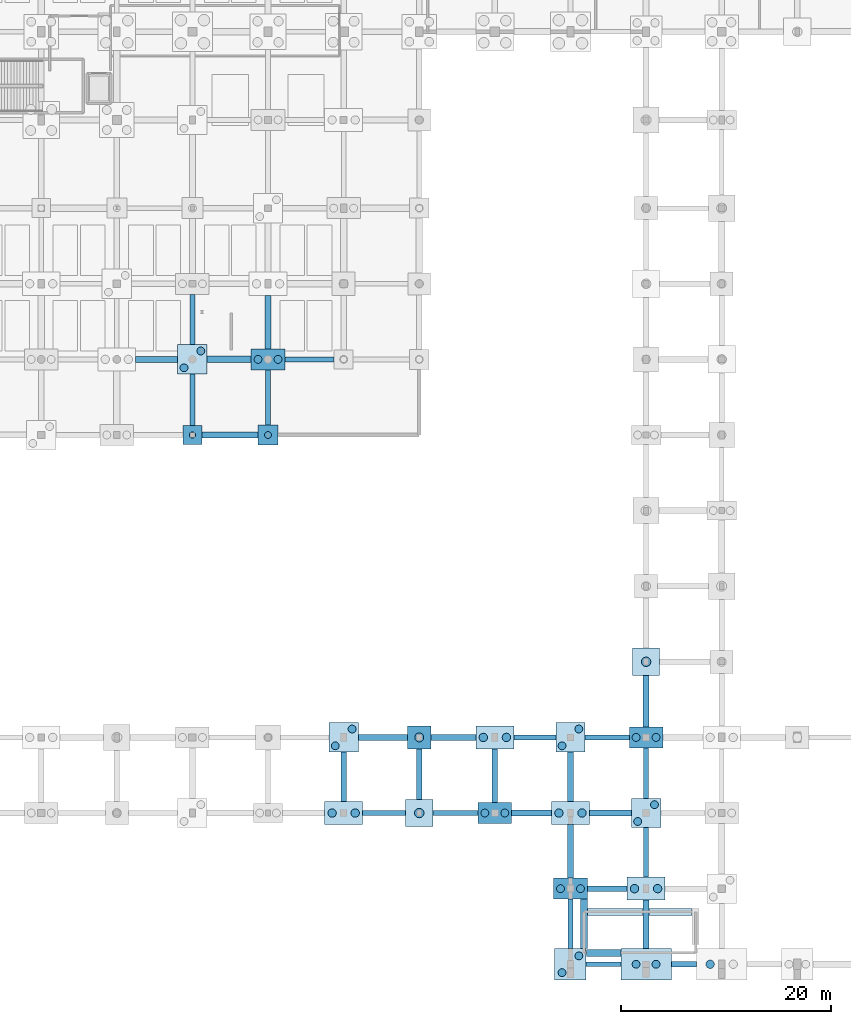
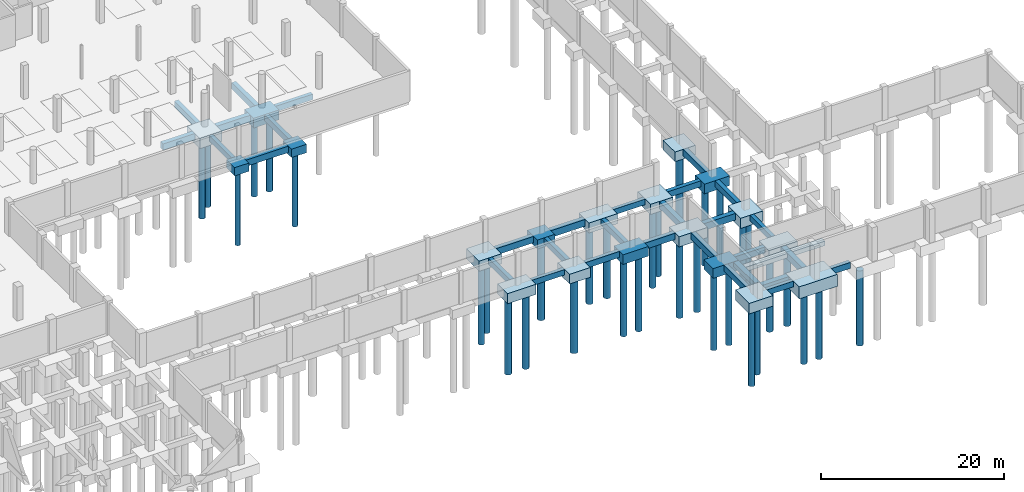
# One storey, part 4 of 35: 51 footings, 34 piles.
"""IFC4 building model written with IfcOpenShell, lengths in metres."""

from ifc_helpers import new_model, si_unit, direction, frame, origin, origin_2d, place, context, subcontext, project, spatial, rectangle, circle, extrude, material, material_profile, profile_set, type_object, element, save


model = new_model("IFC4")

# Units and contexts
model_context = context("Model", 3, precision=1e-05, world=origin(), true_north=direction((0.0, 1.0)))
body_context = subcontext(model_context, "Body", "Model", "MODEL_VIEW")
ifc_project = project(units=[si_unit("LENGTHUNIT", "METRE"), si_unit("AREAUNIT", "SQUARE_METRE"), si_unit("VOLUMEUNIT", "CUBIC_METRE"), si_unit("PLANEANGLEUNIT", "RADIAN"), si_unit("MASSUNIT", "GRAM", prefix="KILO")], contexts=[model_context])

# Site, building, storey
site_placement = place(None, origin())
site = spatial("IfcSite", under=ifc_project, at=site_placement, CompositionType="ELEMENT")
building_placement = place(site_placement, origin())
building = spatial("IfcBuilding", under=site, at=building_placement, Name="Kalluvel Institute of Natural Sciences", CompositionType="ELEMENT")
storey_placement = place(building_placement, frame((0.0, 0.0, -4.5)))
storey = spatial("IfcBuildingStorey", under=building, at=storey_placement, Name="B1", CompositionType="ELEMENT", Elevation=-4.5)

# Footings
ifc_material = material(Name="Concrete M40", Category="concrete")
footing_type_1 = type_object("IfcFootingType", Name="FB-450x750", PredefinedType="FOOTING_BEAM", material=ifc_material)
footing_1_placement = place(storey_placement, frame((103.550048828125, 14.0, -0.75), z_axis=(0.0, 0.0, 1.0), x_axis=(1.0, 0.0, 0.0)))
element("IfcFooting", 1, at=footing_1_placement, inside=storey, type_object=footing_type_1, Name="Foundation tie beam GB-X-004", PredefinedType="FOOTING_BEAM", context=body_context, shape_type="SweptSolid", body=[
    extrude(rectangle(XDim=3.300048828125, YDim=0.449951171875, at=origin_2d()), origin(), (0.0, 0.0, 1.0), 0.75),
])
footing_2_placement = place(storey_placement, frame((82.64990234375, 28.39990234375, -0.75), z_axis=(0.0, 0.0, 1.0), x_axis=(1.0, 0.0, 0.0)))
element("IfcFooting", 2, at=footing_2_placement, inside=storey, type_object=footing_type_1, Name="Foundation tie beam GB-X-024", PredefinedType="FOOTING_BEAM", context=body_context, shape_type="SweptSolid", body=[
    extrude(rectangle(XDim=4.10009765625, YDim=0.449951171875, at=origin_2d()), origin(), (0.0, 0.0, 1.0), 0.75),
])
footing_3_placement = place(storey_placement, frame((97.0, 35.60009765625, -0.75), z_axis=(0.0, 0.0, 1.0), x_axis=(1.0, 0.0, 0.0)))
element("IfcFooting", 3, at=footing_3_placement, inside=storey, type_object=footing_type_1, Name="Foundation tie beam GB-X-040", PredefinedType="FOOTING_BEAM", context=body_context, shape_type="SweptSolid", body=[
    extrude(rectangle(XDim=4.0, YDim=0.449951171875, at=origin_2d()), origin(), (0.0, 0.0, 1.0), 0.75),
])
footing_4_placement = place(storey_placement, frame((75.550048828125, 71.60009765625, -1.199951171875), z_axis=(0.0, 0.0, 1.0), x_axis=(1.0, 0.0, 0.0)))
element("IfcFooting", 4, at=footing_4_placement, inside=storey, type_object=footing_type_1, Name="Foundation tie beam GB-X-076", PredefinedType="FOOTING_BEAM", context=body_context, shape_type="SweptSolid", body=[
    extrude(rectangle(XDim=4.699951171875, YDim=0.449951171875, at=origin_2d()), origin(), (0.0, 0.0, 1.0), 0.75),
])
footing_5_placement = place(storey_placement, frame((64.39990234375, 67.75, -1.199951171875), z_axis=(0.0, 0.0, 1.0), x_axis=(1.0, 0.0, 0.0)))
element("IfcFooting", 5, at=footing_5_placement, inside=storey, type_object=footing_type_1, Name="Foundation tie beam GB-Y-284", PredefinedType="FOOTING_BEAM", context=body_context, shape_type="SweptSolid", body=[
    extrude(rectangle(XDim=0.449951171875, YDim=4.89990234375, at=origin_2d()), origin(), (0.0, 0.0, 1.0), 0.75),
])
footing_6_placement = place(storey_placement, frame((107.60009765625, 24.64990234375, -0.75), z_axis=(0.0, 0.0, 1.0), x_axis=(1.0, 0.0, 0.0)))
element("IfcFooting", 6, at=footing_6_placement, inside=storey, type_object=footing_type_1, Name="Foundation tie beam GB-Y-328", PredefinedType="FOOTING_BEAM", context=body_context, shape_type="SweptSolid", body=[
    extrude(rectangle(XDim=0.449951171875, YDim=4.699951171875, at=origin_2d()), origin(), (0.0, 0.0, 1.0), 0.75),
])
footing_type_2 = type_object("IfcFootingType", Name="FB-500x800", PredefinedType="FOOTING_BEAM", material=ifc_material)
footing_7_placement = place(storey_placement, frame((111.199951171875, 14.0, -0.7998046875), z_axis=(0.0, 0.0, 1.0), x_axis=(1.0, 0.0, 0.0)))
element("IfcFooting", 7, at=footing_7_placement, inside=storey, type_object=footing_type_2, Name="Foundation tie beam GB-X-005", PredefinedType="FOOTING_BEAM", context=body_context, shape_type="SweptSolid", body=[
    extrude(rectangle(XDim=2.39990234375, YDim=0.5, at=origin_2d()), origin(), (0.0, 0.0, 1.0), 0.800048828125),
])
footing_8_placement = place(storey_placement, frame((103.89990234375, 21.199951171875, -0.7998046875), z_axis=(0.0, 0.0, 1.0), x_axis=(1.0, 0.0, 0.0)))
element("IfcFooting", 8, at=footing_8_placement, inside=storey, type_object=footing_type_2, Name="Foundation tie beam GB-X-013", PredefinedType="FOOTING_BEAM", context=body_context, shape_type="SweptSolid", body=[
    extrude(rectangle(XDim=3.800048828125, YDim=0.5, at=origin_2d()), origin(), (0.0, 0.0, 1.0), 0.800048828125),
])
footing_9_placement = place(storey_placement, frame((89.449951171875, 28.39990234375, -0.7998046875), z_axis=(0.0, 0.0, 1.0), x_axis=(1.0, 0.0, 0.0)))
element("IfcFooting", 9, at=footing_9_placement, inside=storey, type_object=footing_type_2, Name="Foundation tie beam GB-X-025", PredefinedType="FOOTING_BEAM", context=body_context, shape_type="SweptSolid", body=[
    extrude(rectangle(XDim=4.300048828125, YDim=0.5, at=origin_2d()), origin(), (0.0, 0.0, 1.0), 0.800048828125),
])
footing_10_placement = place(storey_placement, frame((103.89990234375, 35.60009765625, -0.7998046875), z_axis=(0.0, 0.0, 1.0), x_axis=(1.0, 0.0, 0.0)))
element("IfcFooting", 10, at=footing_10_placement, inside=storey, type_object=footing_type_2, Name="Foundation tie beam GB-X-041", PredefinedType="FOOTING_BEAM", context=body_context, shape_type="SweptSolid", body=[
    extrude(rectangle(XDim=4.199951171875, YDim=0.5, at=origin_2d()), origin(), (0.0, 0.0, 1.0), 0.800048828125),
])
footing_11_placement = place(storey_placement, frame((64.39990234375, 75.39990234375, -1.25), z_axis=(0.0, 0.0, 1.0), x_axis=(1.0, 0.0, 0.0)))
element("IfcFooting", 11, at=footing_11_placement, inside=storey, type_object=footing_type_2, Name="Foundation tie beam GB-Y-285", PredefinedType="FOOTING_BEAM", context=body_context, shape_type="SweptSolid", body=[
    extrude(rectangle(XDim=0.5, YDim=4.800048828125, at=origin_2d()), origin(), (0.0, 0.0, 1.0), 0.800048828125),
])
footing_12_placement = place(storey_placement, frame((71.60009765625, 67.97509765625, -1.25), z_axis=(0.0, 0.0, 1.0), x_axis=(1.0, 0.0, 0.0)))
element("IfcFooting", 12, at=footing_12_placement, inside=storey, type_object=footing_type_2, Name="Foundation tie beam GB-Y-293", PredefinedType="FOOTING_BEAM", context=body_context, shape_type="SweptSolid", body=[
    extrude(rectangle(XDim=0.5, YDim=5.25, at=origin_2d()), origin(), (0.0, 0.0, 1.0), 0.800048828125),
])
footing_13_placement = place(storey_placement, frame((78.800048828125, 31.85009765625, -0.7998046875), z_axis=(0.0, 0.0, 1.0), x_axis=(1.0, 0.0, 0.0)))
element("IfcFooting", 13, at=footing_13_placement, inside=storey, type_object=footing_type_2, Name="Foundation tie beam GB-Y-301", PredefinedType="FOOTING_BEAM", context=body_context, shape_type="SweptSolid", body=[
    extrude(rectangle(XDim=0.5, YDim=4.699951171875, at=origin_2d()), origin(), (0.0, 0.0, 1.0), 0.800048828125),
])
footing_14_placement = place(storey_placement, frame((86.0, 32.10009765625, -0.7998046875), z_axis=(0.0, 0.0, 1.0), x_axis=(1.0, 0.0, 0.0)))
element("IfcFooting", 14, at=footing_14_placement, inside=storey, type_object=footing_type_2, Name="Foundation tie beam GB-Y-309", PredefinedType="FOOTING_BEAM", context=body_context, shape_type="SweptSolid", body=[
    extrude(rectangle(XDim=0.5, YDim=4.800048828125, at=origin_2d()), origin(), (0.0, 0.0, 1.0), 0.800048828125),
])
footing_15_placement = place(storey_placement, frame((93.199951171875, 31.949951171875, -0.7998046875), z_axis=(0.0, 0.0, 1.0), x_axis=(1.0, 0.0, 0.0)))
element("IfcFooting", 15, at=footing_15_placement, inside=storey, type_object=footing_type_2, Name="Foundation tie beam GB-Y-317", PredefinedType="FOOTING_BEAM", context=body_context, shape_type="SweptSolid", body=[
    extrude(rectangle(XDim=0.5, YDim=5.10009765625, at=origin_2d()), origin(), (0.0, 0.0, 1.0), 0.800048828125),
])
footing_16_placement = place(storey_placement, frame((100.39990234375, 17.85009765625, -0.7998046875), z_axis=(0.0, 0.0, 1.0), x_axis=(1.0, 0.0, 0.0)))
element("IfcFooting", 16, at=footing_16_placement, inside=storey, type_object=footing_type_2, Name="Foundation tie beam GB-Y-321", PredefinedType="FOOTING_BEAM", context=body_context, shape_type="SweptSolid", body=[
    extrude(rectangle(XDim=0.5, YDim=4.699951171875, at=origin_2d()), origin(), (0.0, 0.0, 1.0), 0.800048828125),
])
footing_17_placement = place(storey_placement, frame((107.60009765625, 32.199951171875, -0.7998046875), z_axis=(0.0, 0.0, 1.0), x_axis=(1.0, 0.0, 0.0)))
element("IfcFooting", 17, at=footing_17_placement, inside=storey, type_object=footing_type_2, Name="Foundation tie beam GB-Y-329", PredefinedType="FOOTING_BEAM", context=body_context, shape_type="SweptSolid", body=[
    extrude(rectangle(XDim=0.5, YDim=4.800048828125, at=origin_2d()), origin(), (0.0, 0.0, 1.0), 0.800048828125),
])
footing_type_3 = type_object("IfcFootingType", Name="FB-550x850", PredefinedType="FOOTING_BEAM", material=ifc_material)
footing_18_placement = place(storey_placement, frame((96.699951171875, 28.39990234375, -0.85009765625), z_axis=(0.0, 0.0, 1.0), x_axis=(1.0, 0.0, 0.0)))
element("IfcFooting", 18, at=footing_18_placement, inside=storey, type_object=footing_type_3, Name="Foundation tie beam GB-X-026", PredefinedType="FOOTING_BEAM", context=body_context, shape_type="SweptSolid", body=[
    extrude(rectangle(XDim=3.800048828125, YDim=0.550048828125, at=origin_2d()), origin(), (0.0, 0.0, 1.0), 0.85009765625),
])
footing_19_placement = place(storey_placement, frame((82.550048828125, 35.60009765625, -0.85009765625), z_axis=(0.0, 0.0, 1.0), x_axis=(1.0, 0.0, 0.0)))
element("IfcFooting", 19, at=footing_19_placement, inside=storey, type_object=footing_type_3, Name="Foundation tie beam GB-X-038", PredefinedType="FOOTING_BEAM", context=body_context, shape_type="SweptSolid", body=[
    extrude(rectangle(XDim=4.699951171875, YDim=0.550048828125, at=origin_2d()), origin(), (0.0, 0.0, 1.0), 0.85009765625),
])
footing_20_placement = place(storey_placement, frame((67.97509765625, 64.39990234375, -1.300048828125), z_axis=(0.0, 0.0, 1.0), x_axis=(1.0, 0.0, 0.0)))
element("IfcFooting", 20, at=footing_20_placement, inside=storey, type_object=footing_type_3, Name="Foundation tie beam GB-X-066", PredefinedType="FOOTING_BEAM", context=body_context, shape_type="SweptSolid", body=[
    extrude(rectangle(XDim=5.35009765625, YDim=0.550048828125, at=origin_2d()), origin(), (0.0, 0.0, 1.0), 0.85009765625),
])
footing_21_placement = place(storey_placement, frame((61.0, 71.60009765625, -1.300048828125), z_axis=(0.0, 0.0, 1.0), x_axis=(1.0, 0.0, 0.0)))
element("IfcFooting", 21, at=footing_21_placement, inside=storey, type_object=footing_type_3, Name="Foundation tie beam GB-X-074", PredefinedType="FOOTING_BEAM", context=body_context, shape_type="SweptSolid", body=[
    extrude(rectangle(XDim=4.0, YDim=0.550048828125, at=origin_2d()), origin(), (0.0, 0.0, 1.0), 0.85009765625),
])
for number, where, z_axis, x_axis, name in (
    (22, (71.60009765625, 75.14990234375, -1.300048828125), (0.0, 0.0, 1.0), (1.0, 0.0, 0.0), "Foundation tie beam GB-Y-294"),
    (23, (100.39990234375, 24.75, -0.85009765625), (0.0, 0.0, 1.0), (1.0, 0.0, 0.0), "Foundation tie beam GB-Y-322"),
):
    element("IfcFooting", number, at=place(storey_placement, frame(where, z_axis=z_axis, x_axis=x_axis)), inside=storey, type_object=footing_type_3, Name=name, PredefinedType="FOOTING_BEAM", context=body_context, shape_type="SweptSolid", body=[
        extrude(rectangle(XDim=0.550048828125, YDim=5.10009765625, at=origin_2d()), origin(), (0.0, 0.0, 1.0), 0.85009765625),
    ])
footing_22_placement = place(storey_placement, frame((107.60009765625, 39.050048828125, -0.85009765625), z_axis=(0.0, 0.0, 1.0), x_axis=(1.0, 0.0, 0.0)))
element("IfcFooting", 24, at=footing_22_placement, inside=storey, type_object=footing_type_3, Name="Foundation tie beam GB-Y-330", PredefinedType="FOOTING_BEAM", context=body_context, shape_type="SweptSolid", body=[
    extrude(rectangle(XDim=0.550048828125, YDim=4.89990234375, at=origin_2d()), origin(), (0.0, 0.0, 1.0), 0.85009765625),
])
footing_type_4 = type_object("IfcFootingType", Name="FB-600x900", PredefinedType="FOOTING_BEAM", material=ifc_material)
footing_23_placement = place(storey_placement, frame((104.199951171875, 28.39990234375, -0.89990234375), z_axis=(0.0, 0.0, 1.0), x_axis=(1.0, 0.0, 0.0)))
element("IfcFooting", 25, at=footing_23_placement, inside=storey, type_object=footing_type_4, Name="Foundation tie beam GB-X-027", PredefinedType="FOOTING_BEAM", context=body_context, shape_type="SweptSolid", body=[
    extrude(rectangle(XDim=4.0, YDim=0.60009765625, at=origin_2d()), origin(), (0.0, 0.0, 1.0), 0.89990234375),
])
footing_24_placement = place(storey_placement, frame((89.25, 35.60009765625, -0.89990234375), z_axis=(0.0, 0.0, 1.0), x_axis=(1.0, 0.0, 0.0)))
element("IfcFooting", 26, at=footing_24_placement, inside=storey, type_object=footing_type_4, Name="Foundation tie beam GB-X-039", PredefinedType="FOOTING_BEAM", context=body_context, shape_type="SweptSolid", body=[
    extrude(rectangle(XDim=4.300048828125, YDim=0.60009765625, at=origin_2d()), origin(), (0.0, 0.0, 1.0), 0.89990234375),
])
footing_25_placement = place(storey_placement, frame((67.89990234375, 71.60009765625, -1.349853515625), z_axis=(0.0, 0.0, 1.0), x_axis=(1.0, 0.0, 0.0)))
element("IfcFooting", 27, at=footing_25_placement, inside=storey, type_object=footing_type_4, Name="Foundation tie beam GB-X-075", PredefinedType="FOOTING_BEAM", context=body_context, shape_type="SweptSolid", body=[
    extrude(rectangle(XDim=4.199951171875, YDim=0.60009765625, at=origin_2d()), origin(), (0.0, 0.0, 1.0), 0.89990234375),
])
footing_26_placement = place(storey_placement, frame((100.39990234375, 31.85009765625, -0.89990234375), z_axis=(0.0, 0.0, 1.0), x_axis=(1.0, 0.0, 0.0)))
element("IfcFooting", 28, at=footing_26_placement, inside=storey, type_object=footing_type_4, Name="Foundation tie beam GB-Y-323", PredefinedType="FOOTING_BEAM", context=body_context, shape_type="SweptSolid", body=[
    extrude(rectangle(XDim=0.60009765625, YDim=4.699951171875, at=origin_2d()), origin(), (0.0, 0.0, 1.0), 0.89990234375),
])
footing_27_placement = place(storey_placement, frame((107.60009765625, 17.800048828125, -0.89990234375), z_axis=(0.0, 0.0, 1.0), x_axis=(1.0, 0.0, 0.0)))
element("IfcFooting", 29, at=footing_27_placement, inside=storey, type_object=footing_type_4, Name="Foundation tie beam GB-Y-327", PredefinedType="FOOTING_BEAM", context=body_context, shape_type="SweptSolid", body=[
    extrude(rectangle(XDim=0.60009765625, YDim=4.60009765625, at=origin_2d()), origin(), (0.0, 0.0, 1.0), 0.89990234375),
])
footing_type_5 = type_object("IfcFootingType", Name="FT-STRIP-650x600", PredefinedType="STRIP_FOOTING", material=ifc_material)
footing_28_placement = place(storey_placement, frame((103.550048828125, 15.080078125, -0.60009765625), z_axis=(0.0, 0.0, 1.0), x_axis=(1.0, 0.0, 0.0)))
element("IfcFooting", 30, at=footing_28_placement, inside=storey, type_object=footing_type_5, Name="ST7 south core strip footing SF-006", PredefinedType="STRIP_FOOTING", context=body_context, shape_type="SweptSolid", body=[
    extrude(rectangle(XDim=3.280029296875, YDim=0.64990234375, at=origin_2d()), origin(), (0.0, 0.0, 1.0), 0.60009765625),
])
footing_29_placement = place(storey_placement, frame((107.0, 18.97998046875, -0.60009765625), z_axis=(0.0, 0.0, 1.0), x_axis=(1.0, 0.0, 0.0)))
element("IfcFooting", 31, at=footing_29_placement, inside=storey, type_object=footing_type_5, Name="ST7 north core strip footing SF-007", PredefinedType="STRIP_FOOTING", context=body_context, shape_type="SweptSolid", body=[
    extrude(rectangle(XDim=9.969970703125, YDim=0.64990234375, at=origin_2d()), origin(), (0.0, 0.0, 1.0), 0.60009765625),
])
footing_30_placement = place(storey_placement, frame((101.679931640625, 17.85009765625, -0.60009765625), z_axis=(0.0, 0.0, 1.0), x_axis=(1.0, 0.0, 0.0)))
element("IfcFooting", 32, at=footing_30_placement, inside=storey, type_object=footing_type_5, Name="ST7 west core strip footing SF-008", PredefinedType="STRIP_FOOTING", context=body_context, shape_type="SweptSolid", body=[
    extrude(rectangle(XDim=0.64990234375, YDim=4.679931640625, at=origin_2d()), origin(), (0.0, 0.0, 1.0), 0.60009765625),
])
footing_type_6 = type_object("IfcFootingType", Name="PC-1800x1800x1100", PredefinedType="PILE_CAP", material=ifc_material)
footing_31_placement = place(storey_placement, frame((64.39990234375, 64.39990234375, -1.550048828125), z_axis=(0.0, 0.0, 1.0), x_axis=(1.0, 0.0, 0.0)))
element("IfcFooting", 33, at=footing_31_placement, inside=storey, type_object=footing_type_6, Name="Pile cap CAP-100", PredefinedType="PILE_CAP", context=body_context, shape_type="SweptSolid", body=[
    extrude(rectangle(XDim=1.800048828125, YDim=1.800048828125, at=origin_2d()), origin(), (0.0, 0.0, 1.0), 1.10009765625),
])
footing_type_7 = type_object("IfcFootingType", Name="PC-1900x1900x1120", PredefinedType="PILE_CAP", material=ifc_material)
footing_32_placement = place(storey_placement, frame((71.60009765625, 64.39990234375, -1.570068359375), z_axis=(0.0, 0.0, 1.0), x_axis=(1.0, 0.0, 0.0)))
element("IfcFooting", 34, at=footing_32_placement, inside=storey, type_object=footing_type_7, Name="Pile cap CAP-111", PredefinedType="PILE_CAP", context=body_context, shape_type="SweptSolid", body=[
    extrude(rectangle(XDim=1.89990234375, YDim=1.89990234375, at=origin_2d()), origin(), (0.0, 0.0, 1.0), 1.1201171875),
])
footing_type_8 = type_object("IfcFootingType", Name="PC-2200x2200x1200", PredefinedType="PILE_CAP", material=ifc_material)
footing_33_placement = place(storey_placement, frame((86.0, 35.60009765625, -1.2001953125), z_axis=(0.0, 0.0, 1.0), x_axis=(1.0, 0.0, 0.0)))
element("IfcFooting", 35, at=footing_33_placement, inside=storey, type_object=footing_type_8, Name="Pile cap CAP-131", PredefinedType="PILE_CAP", context=body_context, shape_type="SweptSolid", body=[
    extrude(rectangle(XDim=2.199951171875, YDim=2.199951171875, at=origin_2d()), origin(), (0.0, 0.0, 1.0), 1.199951171875),
])
footing_type_9 = type_object("IfcFootingType", Name="PC-2600x2600x1300", PredefinedType="PILE_CAP", material=ifc_material)
for number, where, z_axis, x_axis, name in (
    (36, (86.0, 28.39990234375, -1.2998046875), (0.0, 0.0, 1.0), (1.0, 0.0, 0.0), "Pile cap CAP-130"),
    (37, (107.60009765625, 42.800048828125, -1.2998046875), (0.0, 0.0, 1.0), (1.0, 0.0, 0.0), "Pile cap CAP-158"),
):
    element("IfcFooting", number, at=place(storey_placement, frame(where, z_axis=z_axis, x_axis=x_axis)), inside=storey, type_object=footing_type_9, Name=name, PredefinedType="PILE_CAP", context=body_context, shape_type="SweptSolid", body=[
        extrude(rectangle(XDim=2.60009765625, YDim=2.60009765625, at=origin_2d()), origin(), (0.0, 0.0, 1.0), 1.300048828125),
    ])
footing_type_10 = type_object("IfcFootingType", Name="PC-2800x2800x1350", PredefinedType="PILE_CAP", material=ifc_material)
for number, where, z_axis, x_axis, name in (
    (38, (64.39990234375, 71.60009765625, -1.800048828125), (0.0, 0.0, 1.0), (1.0, 0.0, 0.0), "Pile cap CAP-101"),
    (39, (78.800048828125, 35.60009765625, -1.35009765625), (0.0, 0.0, 1.0), (1.0, 0.0, 0.0), "Pile cap CAP-121"),
    (40, (100.39990234375, 35.60009765625, -1.35009765625), (0.0, 0.0, 1.0), (1.0, 0.0, 0.0), "Pile cap CAP-149"),
    (41, (107.60009765625, 28.39990234375, -1.35009765625), (0.0, 0.0, 1.0), (1.0, 0.0, 0.0), "Pile cap CAP-156"),
):
    element("IfcFooting", number, at=place(storey_placement, frame(where, z_axis=z_axis, x_axis=x_axis)), inside=storey, type_object=footing_type_10, Name=name, PredefinedType="PILE_CAP", context=body_context, shape_type="SweptSolid", body=[
        extrude(rectangle(XDim=2.800048828125, YDim=2.800048828125, at=origin_2d()), origin(), (0.0, 0.0, 1.0), 1.35009765625),
    ])
footing_type_11 = type_object("IfcFootingType", Name="PC-3000x3000x1400", PredefinedType="PILE_CAP", material=ifc_material)
footing_34_placement = place(storey_placement, frame((100.39990234375, 14.0, -1.39990234375), z_axis=(0.0, 0.0, 1.0), x_axis=(1.0, 0.0, 0.0)))
element("IfcFooting", 42, at=footing_34_placement, inside=storey, type_object=footing_type_11, Name="Pile cap CAP-146", PredefinedType="PILE_CAP", context=body_context, shape_type="SweptSolid", body=[
    extrude(rectangle(XDim=3.0, YDim=3.0, at=origin_2d()), origin(), (0.0, 0.0, 1.0), 1.39990234375),
])
footing_type_12 = type_object("IfcFootingType", Name="PC-3200x2000x1300", PredefinedType="PILE_CAP", material=ifc_material)
for number, where, z_axis, x_axis, name in (
    (43, (71.60009765625, 71.60009765625, -1.75), (0.0, 0.0, 1.0), (1.0, 0.0, 0.0), "Pile cap CAP-112"),
    (44, (93.199951171875, 28.39990234375, -1.2998046875), (0.0, 0.0, 1.0), (1.0, 0.0, 0.0), "Pile cap CAP-140"),
    (45, (100.39990234375, 21.199951171875, -1.2998046875), (0.0, 0.0, 1.0), (1.0, 0.0, 0.0), "Pile cap CAP-147"),
    (46, (107.60009765625, 35.60009765625, -1.2998046875), (0.0, 0.0, 1.0), (1.0, 0.0, 0.0), "Pile cap CAP-157"),
):
    element("IfcFooting", number, at=place(storey_placement, frame(where, z_axis=z_axis, x_axis=x_axis)), inside=storey, type_object=footing_type_12, Name=name, PredefinedType="PILE_CAP", context=body_context, shape_type="SweptSolid", body=[
        extrude(rectangle(XDim=3.199951171875, YDim=2.0, at=origin_2d()), origin(), (0.0, 0.0, 1.0), 1.300048828125),
    ])
footing_type_13 = type_object("IfcFootingType", Name="PC-3600x2200x1350", PredefinedType="PILE_CAP", material=ifc_material)
for number, where, z_axis, x_axis, name in (
    (47, (78.800048828125, 28.39990234375, -1.35009765625), (0.0, 0.0, 1.0), (1.0, 0.0, 0.0), "Pile cap CAP-120"),
    (48, (93.199951171875, 35.60009765625, -1.35009765625), (0.0, 0.0, 1.0), (1.0, 0.0, 0.0), "Pile cap CAP-141"),
    (49, (100.39990234375, 28.39990234375, -1.35009765625), (0.0, 0.0, 1.0), (1.0, 0.0, 0.0), "Pile cap CAP-148"),
    (50, (107.60009765625, 21.199951171875, -1.35009765625), (0.0, 0.0, 1.0), (1.0, 0.0, 0.0), "Pile cap CAP-155"),
):
    element("IfcFooting", number, at=place(storey_placement, frame(where, z_axis=z_axis, x_axis=x_axis)), inside=storey, type_object=footing_type_13, Name=name, PredefinedType="PILE_CAP", context=body_context, shape_type="SweptSolid", body=[
        extrude(rectangle(XDim=3.60009765625, YDim=2.199951171875, at=origin_2d()), origin(), (0.0, 0.0, 1.0), 1.35009765625),
    ])
footing_type_14 = type_object("IfcFootingType", Name="PC-4800x3000x1600", PredefinedType="PILE_CAP", material=ifc_material)
footing_35_placement = place(storey_placement, frame((107.60009765625, 14.0, -1.60009765625), z_axis=(0.0, 0.0, 1.0), x_axis=(1.0, 0.0, 0.0)))
element("IfcFooting", 51, at=footing_35_placement, inside=storey, type_object=footing_type_14, Name="Pile cap CAP-154", PredefinedType="PILE_CAP", context=body_context, shape_type="SweptSolid", body=[
    extrude(rectangle(XDim=4.800048828125, YDim=3.0, at=origin_2d()), origin(), (0.0, 0.0, 1.0), 1.60009765625),
])

# Piles
ifc_material_profile_1 = material_profile(ifc_material, circle(Radius=0.300048828125, at=origin_2d()), Name="PILE D600")
ifc_profile_set_1 = profile_set([ifc_material_profile_1], Name="Concrete M40")
pile_type_1 = type_object("IfcPileType", Name="PILE-D600", PredefinedType="BORED", material=ifc_profile_set_1)
pile_1_placement = place(storey_placement, frame((64.39990234375, 64.39990234375, -1.429931640625), z_axis=(0.0, 0.0, -1.0), x_axis=(1.0, 0.0, 0.0)))
element("IfcPile", 52, at=pile_1_placement, inside=storey, type_object=pile_type_1, Name="Bored rock-socketed pile PILE-X6440-Y6440", PredefinedType="BORED", context=body_context, shape_type="SweptSolid", body=[
    extrude(circle(Radius=0.300048828125, at=origin_2d()), origin(), (0.0, 0.0, 1.0), 10.070068359375),
])
ifc_material_profile_2 = material_profile(ifc_material, circle(Radius=0.324951171875, at=origin_2d()), Name="PILE D650")
ifc_profile_set_2 = profile_set([ifc_material_profile_2], Name="Concrete M40")
pile_type_2 = type_object("IfcPileType", Name="PILE-D650", PredefinedType="BORED", material=ifc_profile_set_2)
pile_2_placement = place(storey_placement, frame((71.60009765625, 64.39990234375, -1.449951171875), z_axis=(0.0, 0.0, -1.0), x_axis=(1.0, 0.0, 0.0)))
element("IfcPile", 53, at=pile_2_placement, inside=storey, type_object=pile_type_2, Name="Bored rock-socketed pile PILE-X7160-Y6440", PredefinedType="BORED", context=body_context, shape_type="SweptSolid", body=[
    extrude(circle(Radius=0.324951171875, at=origin_2d()), origin(), (0.0, 0.0, 1.0), 10.050048828125),
])
ifc_material_profile_3 = material_profile(ifc_material, circle(Radius=0.375, at=origin_2d()), Name="PILE D750")
ifc_profile_set_3 = profile_set([ifc_material_profile_3], Name="Concrete M40")
pile_type_3 = type_object("IfcPileType", Name="PILE-D750", PredefinedType="BORED", material=ifc_profile_set_3)
for number, where, z_axis, x_axis, name in (
    (54, (63.60009765625, 70.800048828125, -1.679931640625), (0.0, 0.0, -1.0), (1.0, 0.0, 0.0), "Bored rock-socketed pile PILE-X6360-Y7080"),
    (55, (65.199951171875, 72.39990234375, -1.679931640625), (0.0, 0.0, -1.0), (1.0, 0.0, 0.0), "Bored rock-socketed pile PILE-X6520-Y7240"),
):
    element("IfcPile", number, at=place(storey_placement, frame(where, z_axis=z_axis, x_axis=x_axis)), inside=storey, type_object=pile_type_3, Name=name, PredefinedType="BORED", context=body_context, shape_type="SweptSolid", body=[
        extrude(circle(Radius=0.375, at=origin_2d()), origin(), (0.0, 0.0, 1.0), 9.820068359375),
    ])
for number, where, z_axis, x_axis, name in (
    (56, (70.64990234375, 71.60009765625, -1.6298828125), (0.0, 0.0, -1.0), (1.0, 0.0, 0.0), "Bored rock-socketed pile PILE-X7065-Y7160"),
    (57, (72.550048828125, 71.60009765625, -1.6298828125), (0.0, 0.0, -1.0), (1.0, 0.0, 0.0), "Bored rock-socketed pile PILE-X7255-Y7160"),
):
    element("IfcPile", number, at=place(storey_placement, frame(where, z_axis=z_axis, x_axis=x_axis)), inside=storey, type_object=pile_type_3, Name=name, PredefinedType="BORED", context=body_context, shape_type="SweptSolid", body=[
        extrude(circle(Radius=0.375, at=origin_2d()), origin(), (0.0, 0.0, 1.0), 9.8701171875),
    ])
for number, where, z_axis, x_axis, name in (
    (58, (78.0, 34.800048828125, -1.22998046875), (0.0, 0.0, -1.0), (1.0, 0.0, 0.0), "Bored rock-socketed pile PILE-X7800-Y3480"),
    (59, (79.60009765625, 36.39990234375, -1.22998046875), (0.0, 0.0, -1.0), (1.0, 0.0, 0.0), "Bored rock-socketed pile PILE-X7960-Y3640"),
):
    element("IfcPile", number, at=place(storey_placement, frame(where, z_axis=z_axis, x_axis=x_axis)), inside=storey, type_object=pile_type_3, Name=name, PredefinedType="BORED", context=body_context, shape_type="SweptSolid", body=[
        extrude(circle(Radius=0.375, at=origin_2d()), origin(), (0.0, 0.0, 1.0), 10.27001953125),
    ])
for number, where, z_axis, x_axis, name in (
    (60, (92.25, 28.39990234375, -1.179931640625), (0.0, 0.0, -1.0), (1.0, 0.0, 0.0), "Bored rock-socketed pile PILE-X9225-Y2840"),
    (61, (94.14990234375, 28.39990234375, -1.179931640625), (0.0, 0.0, -1.0), (1.0, 0.0, 0.0), "Bored rock-socketed pile PILE-X9415-Y2840"),
):
    element("IfcPile", number, at=place(storey_placement, frame(where, z_axis=z_axis, x_axis=x_axis)), inside=storey, type_object=pile_type_3, Name=name, PredefinedType="BORED", context=body_context, shape_type="SweptSolid", body=[
        extrude(circle(Radius=0.375, at=origin_2d()), origin(), (0.0, 0.0, 1.0), 10.320068359375),
    ])
for number, where, z_axis, x_axis, name in (
    (62, (99.60009765625, 13.199951171875, -1.280029296875), (0.0, 0.0, -1.0), (1.0, 0.0, 0.0), "Bored rock-socketed pile PILE-X9960-Y1320"),
    (63, (101.199951171875, 14.800048828125, -1.280029296875), (0.0, 0.0, -1.0), (1.0, 0.0, 0.0), "Bored rock-socketed pile PILE-X10120-Y1480"),
):
    element("IfcPile", number, at=place(storey_placement, frame(where, z_axis=z_axis, x_axis=x_axis)), inside=storey, type_object=pile_type_3, Name=name, PredefinedType="BORED", context=body_context, shape_type="SweptSolid", body=[
        extrude(circle(Radius=0.375, at=origin_2d()), origin(), (0.0, 0.0, 1.0), 10.219970703125),
    ])
for number, where, z_axis, x_axis, name in (
    (64, (99.449951171875, 21.199951171875, -1.179931640625), (0.0, 0.0, -1.0), (1.0, 0.0, 0.0), "Bored rock-socketed pile PILE-X9945-Y2120"),
    (65, (101.35009765625, 21.199951171875, -1.179931640625), (0.0, 0.0, -1.0), (1.0, 0.0, 0.0), "Bored rock-socketed pile PILE-X10135-Y2120"),
):
    element("IfcPile", number, at=place(storey_placement, frame(where, z_axis=z_axis, x_axis=x_axis)), inside=storey, type_object=pile_type_3, Name=name, PredefinedType="BORED", context=body_context, shape_type="SweptSolid", body=[
        extrude(circle(Radius=0.375, at=origin_2d()), origin(), (0.0, 0.0, 1.0), 10.320068359375),
    ])
for number, where, z_axis, x_axis, name in (
    (66, (99.60009765625, 34.800048828125, -1.22998046875), (0.0, 0.0, -1.0), (1.0, 0.0, 0.0), "Bored rock-socketed pile PILE-X9960-Y3480"),
    (67, (101.199951171875, 36.39990234375, -1.22998046875), (0.0, 0.0, -1.0), (1.0, 0.0, 0.0), "Bored rock-socketed pile PILE-X10120-Y3640"),
):
    element("IfcPile", number, at=place(storey_placement, frame(where, z_axis=z_axis, x_axis=x_axis)), inside=storey, type_object=pile_type_3, Name=name, PredefinedType="BORED", context=body_context, shape_type="SweptSolid", body=[
        extrude(circle(Radius=0.375, at=origin_2d()), origin(), (0.0, 0.0, 1.0), 10.27001953125),
    ])
for number, where, z_axis, x_axis, name in (
    (68, (106.64990234375, 14.0, -1.47998046875), (0.0, 0.0, -1.0), (1.0, 0.0, 0.0), "Bored rock-socketed pile PILE-X10665-Y1400"),
    (69, (108.550048828125, 14.0, -1.47998046875), (0.0, 0.0, -1.0), (1.0, 0.0, 0.0), "Bored rock-socketed pile PILE-X10855-Y1400"),
):
    element("IfcPile", number, at=place(storey_placement, frame(where, z_axis=z_axis, x_axis=x_axis)), inside=storey, type_object=pile_type_3, Name=name, PredefinedType="BORED", context=body_context, shape_type="SweptSolid", body=[
        extrude(circle(Radius=0.375, at=origin_2d()), origin(), (0.0, 0.0, 1.0), 10.02001953125),
    ])
for number, where, z_axis, x_axis, name in (
    (70, (106.800048828125, 27.60009765625, -1.22998046875), (0.0, 0.0, -1.0), (1.0, 0.0, 0.0), "Bored rock-socketed pile PILE-X10680-Y2760"),
    (71, (108.39990234375, 29.199951171875, -1.22998046875), (0.0, 0.0, -1.0), (1.0, 0.0, 0.0), "Bored rock-socketed pile PILE-X10840-Y2920"),
):
    element("IfcPile", number, at=place(storey_placement, frame(where, z_axis=z_axis, x_axis=x_axis)), inside=storey, type_object=pile_type_3, Name=name, PredefinedType="BORED", context=body_context, shape_type="SweptSolid", body=[
        extrude(circle(Radius=0.375, at=origin_2d()), origin(), (0.0, 0.0, 1.0), 10.27001953125),
    ])
for number, where, z_axis, x_axis, name in (
    (72, (106.64990234375, 35.60009765625, -1.179931640625), (0.0, 0.0, -1.0), (1.0, 0.0, 0.0), "Bored rock-socketed pile PILE-X10665-Y3560"),
    (73, (108.550048828125, 35.60009765625, -1.179931640625), (0.0, 0.0, -1.0), (1.0, 0.0, 0.0), "Bored rock-socketed pile PILE-X10855-Y3560"),
):
    element("IfcPile", number, at=place(storey_placement, frame(where, z_axis=z_axis, x_axis=x_axis)), inside=storey, type_object=pile_type_3, Name=name, PredefinedType="BORED", context=body_context, shape_type="SweptSolid", body=[
        extrude(circle(Radius=0.375, at=origin_2d()), origin(), (0.0, 0.0, 1.0), 10.320068359375),
    ])
ifc_material_profile_4 = material_profile(ifc_material, circle(Radius=0.39990234375, at=origin_2d()), Name="PILE D800")
ifc_profile_set_4 = profile_set([ifc_material_profile_4], Name="Concrete M40")
pile_type_4 = type_object("IfcPileType", Name="PILE-D800", PredefinedType="BORED", material=ifc_profile_set_4)
for number, where, z_axis, x_axis, name in (
    (74, (77.699951171875, 28.39990234375, -1.22998046875), (0.0, 0.0, -1.0), (1.0, 0.0, 0.0), "Bored rock-socketed pile PILE-X7770-Y2840"),
    (75, (79.89990234375, 28.39990234375, -1.22998046875), (0.0, 0.0, -1.0), (1.0, 0.0, 0.0), "Bored rock-socketed pile PILE-X7990-Y2840"),
    (76, (92.10009765625, 35.60009765625, -1.22998046875), (0.0, 0.0, -1.0), (1.0, 0.0, 0.0), "Bored rock-socketed pile PILE-X9210-Y3560"),
    (77, (94.300048828125, 35.60009765625, -1.22998046875), (0.0, 0.0, -1.0), (1.0, 0.0, 0.0), "Bored rock-socketed pile PILE-X9430-Y3560"),
    (78, (99.300048828125, 28.39990234375, -1.22998046875), (0.0, 0.0, -1.0), (1.0, 0.0, 0.0), "Bored rock-socketed pile PILE-X9930-Y2840"),
    (79, (101.5, 28.39990234375, -1.22998046875), (0.0, 0.0, -1.0), (1.0, 0.0, 0.0), "Bored rock-socketed pile PILE-X10150-Y2840"),
    (80, (106.5, 21.199951171875, -1.22998046875), (0.0, 0.0, -1.0), (1.0, 0.0, 0.0), "Bored rock-socketed pile PILE-X10650-Y2120"),
    (81, (108.699951171875, 21.199951171875, -1.22998046875), (0.0, 0.0, -1.0), (1.0, 0.0, 0.0), "Bored rock-socketed pile PILE-X10870-Y2120"),
):
    element("IfcPile", number, at=place(storey_placement, frame(where, z_axis=z_axis, x_axis=x_axis)), inside=storey, type_object=pile_type_4, Name=name, PredefinedType="BORED", context=body_context, shape_type="SweptSolid", body=[
        extrude(circle(Radius=0.39990234375, at=origin_2d()), origin(), (0.0, 0.0, 1.0), 10.27001953125),
    ])
pile_3_placement = place(storey_placement, frame((113.699951171875, 14.0, -1.47998046875), z_axis=(0.0, 0.0, -1.0), x_axis=(1.0, 0.0, 0.0)))
element("IfcPile", 82, at=pile_3_placement, inside=storey, type_object=pile_type_4, Name="Bored rock-socketed pile PILE-X11370-Y1400", PredefinedType="BORED", context=body_context, shape_type="SweptSolid", body=[
    extrude(circle(Radius=0.39990234375, at=origin_2d()), origin(), (0.0, 0.0, 1.0), 10.02001953125),
])
ifc_material_profile_5 = material_profile(ifc_material, circle(Radius=0.425048828125, at=origin_2d()), Name="PILE D850")
ifc_profile_set_5 = profile_set([ifc_material_profile_5], Name="Concrete M40")
pile_type_5 = type_object("IfcPileType", Name="PILE-D850", PredefinedType="BORED", material=ifc_profile_set_5)
pile_4_placement = place(storey_placement, frame((86.0, 35.60009765625, -1.080078125), z_axis=(0.0, 0.0, -1.0), x_axis=(1.0, 0.0, 0.0)))
element("IfcPile", 83, at=pile_4_placement, inside=storey, type_object=pile_type_5, Name="Bored rock-socketed pile PILE-X8600-Y3560", PredefinedType="BORED", context=body_context, shape_type="SweptSolid", body=[
    extrude(circle(Radius=0.425048828125, at=origin_2d()), origin(), (0.0, 0.0, 1.0), 10.419921875),
])
ifc_material_profile_6 = material_profile(ifc_material, circle(Radius=0.449951171875, at=origin_2d()), Name="PILE D900")
ifc_profile_set_6 = profile_set([ifc_material_profile_6], Name="Concrete M40")
pile_type_6 = type_object("IfcPileType", Name="PILE-D900", PredefinedType="BORED", material=ifc_profile_set_6)
for number, where, z_axis, x_axis, name in (
    (84, (86.0, 28.39990234375, -1.179931640625), (0.0, 0.0, -1.0), (1.0, 0.0, 0.0), "Bored rock-socketed pile PILE-X8600-Y2840"),
    (85, (107.60009765625, 42.800048828125, -1.179931640625), (0.0, 0.0, -1.0), (1.0, 0.0, 0.0), "Bored rock-socketed pile PILE-X10760-Y4280"),
):
    element("IfcPile", number, at=place(storey_placement, frame(where, z_axis=z_axis, x_axis=x_axis)), inside=storey, type_object=pile_type_6, Name=name, PredefinedType="BORED", context=body_context, shape_type="SweptSolid", body=[
        extrude(circle(Radius=0.449951171875, at=origin_2d()), origin(), (0.0, 0.0, 1.0), 10.320068359375),
    ])

save(model, "model.ifc")
